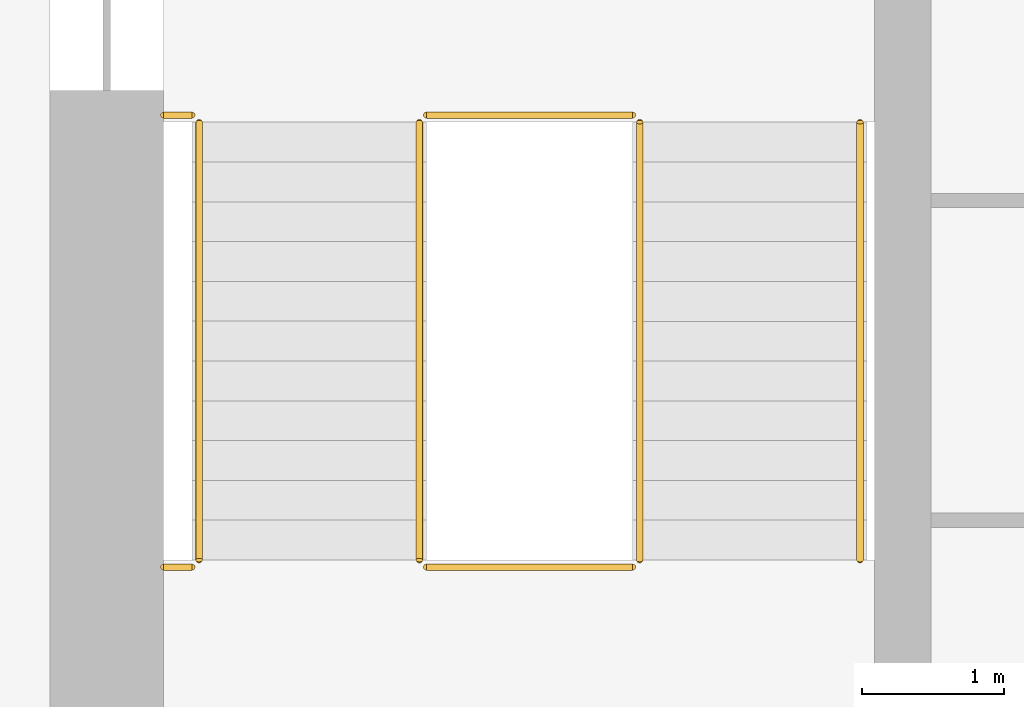
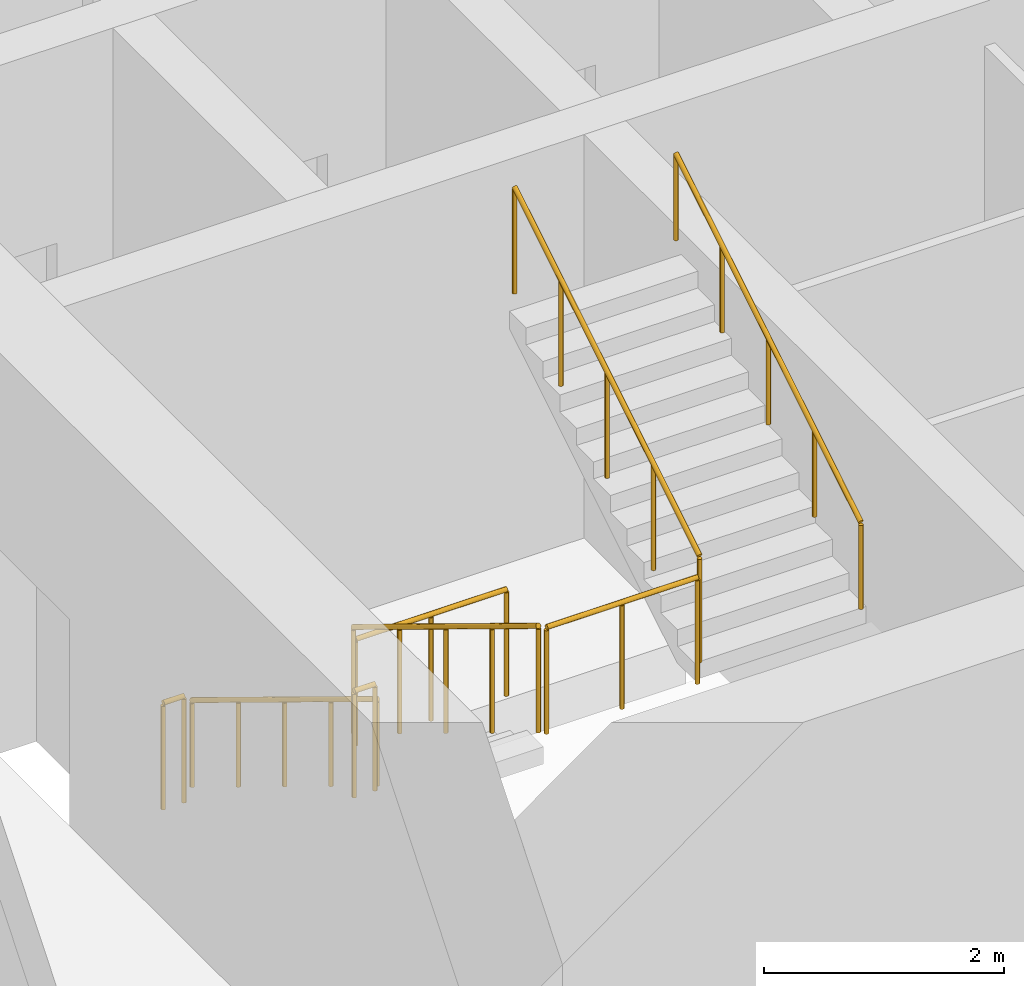
# One storey, part 10 of 16: 8 railings.
"""IFC4 building model written with IfcOpenShell, lengths in metres."""

from ifc_helpers import new_model, si_unit, direction, frame, origin, origin_2d, place, context, subcontext, project, spatial, circle, extrude, material, type_object, element, save


model = new_model("IFC4")

# Units and contexts
model_context = context("Model", 3, precision=1e-05, world=origin(), true_north=direction((0.0, 1.0)))
body_context = subcontext(model_context, "Body", "Model", "MODEL_VIEW")
ifc_project = project(units=[si_unit("LENGTHUNIT", "METRE"), si_unit("AREAUNIT", "SQUARE_METRE"), si_unit("VOLUMEUNIT", "CUBIC_METRE"), si_unit("PLANEANGLEUNIT", "RADIAN"), si_unit("MASSUNIT", "GRAM", prefix="KILO")], contexts=[model_context])

# Site, building, storey
site_placement = place(None, origin())
site = spatial("IfcSite", under=ifc_project, at=site_placement, CompositionType="ELEMENT")
building_placement = place(site_placement, origin())
building = spatial("IfcBuilding", under=site, at=building_placement, Name="Corbel Stack Research Tower", CompositionType="ELEMENT")
storey_placement = place(building_placement, frame((0.0, 0.0, 160.89990234375)))
storey = spatial("IfcBuildingStorey", under=building, at=storey_placement, Name="L36", CompositionType="ELEMENT", Elevation=160.89990234375)

# Railings
ifc_material_1 = material(Name="Steel S355", Category="steel")
railing_type_1 = type_object("IfcRailingType", Name="Stair guard 1100", PredefinedType="GUARDRAIL", material=ifc_material_1)
railing_1_placement = place(storey_placement, frame((-7.89990234375, -2.39990234375, 0.1708984375)))
element("IfcRailing", 1, at=railing_1_placement, inside=storey, type_object=railing_type_1, Name="L36 ST-W1 stair guard 1", PredefinedType="GUARDRAIL", context=body_context, shape_type="SweptSolid", body=[
    extrude(circle(Radius=0.02392578125, at=origin_2d()), frame((0.0, 0.0, 1.076171875), z_axis=(0.0, -0.853666305674, 0.52082035152), x_axis=(1.0, 0.0, 0.0)), (0.0, 0.0, 1.0), 3.608154296875),
    extrude(circle(Radius=0.02099609375, at=origin_2d()), origin(), (0.0, 0.0, 1.0), 1.052001953125),
    extrude(circle(Radius=0.02099609375, at=origin_2d()), frame((0.0, -0.77001953125, 0.4697265625)), (0.0, 0.0, 1.0), 1.052001953125),
    extrude(circle(Radius=0.02099609375, at=origin_2d()), frame((0.0, -1.5400390625, 0.939453125)), (0.0, 0.0, 1.0), 1.052001953125),
    extrude(circle(Radius=0.02099609375, at=origin_2d()), frame((0.0, -2.31005859375, 1.409423828125)), (0.0, 0.0, 1.0), 1.052001953125),
    extrude(circle(Radius=0.02099609375, at=origin_2d()), frame((0.0, -3.080078125, 1.879150390625)), (0.0, 0.0, 1.0), 1.052001953125),
])
railing_2_placement = place(storey_placement, frame((-7.85009765625, -5.530029296875, 2.050048828125)))
element("IfcRailing", 2, at=railing_2_placement, inside=storey, type_object=railing_type_1, Name="L36 ST-W1 stair guard 2", PredefinedType="GUARDRAIL", context=body_context, shape_type="SweptSolid", body=[
    extrude(circle(Radius=0.02392578125, at=origin_2d()), frame((0.0, 0.0, 1.076171875), z_axis=(1.0, 0.0, 0.0), x_axis=(0.0, 1.0, 0.0)), (0.0, 0.0, 1.0), 1.4501953125),
    extrude(circle(Radius=0.02099609375, at=origin_2d()), origin(), (0.0, 0.0, 1.0), 1.052001953125),
    extrude(circle(Radius=0.02099609375, at=origin_2d()), frame((0.72509765625, 0.0, 0.0)), (0.0, 0.0, 1.0), 1.052001953125),
    extrude(circle(Radius=0.02099609375, at=origin_2d()), frame((1.4501953125, 0.0, 0.0)), (0.0, 0.0, 1.0), 1.052001953125),
])
railing_3_placement = place(storey_placement, frame((-9.699951171875, -5.530029296875, 2.050048828125)))
element("IfcRailing", 3, at=railing_3_placement, inside=storey, type_object=railing_type_1, Name="L36 ST-W1 stair guard 3", PredefinedType="GUARDRAIL", context=body_context, shape_type="SweptSolid", body=[
    extrude(circle(Radius=0.02392578125, at=origin_2d()), frame((0.0, 0.0, 1.076171875), z_axis=(1.0, 0.0, 0.0), x_axis=(0.0, 1.0, 0.0)), (0.0, 0.0, 1.0), 0.199951171875),
    extrude(circle(Radius=0.02099609375, at=origin_2d()), origin(), (0.0, 0.0, 1.0), 1.052001953125),
    extrude(circle(Radius=0.02099609375, at=origin_2d()), frame((0.199951171875, 0.0, 0.0)), (0.0, 0.0, 1.0), 1.052001953125),
])
railing_4_placement = place(storey_placement, frame((-6.35009765625, -5.47998046875, 2.220947265625)))
element("IfcRailing", 4, at=railing_4_placement, inside=storey, type_object=railing_type_1, Name="L36 ST-W1 stair guard 4", PredefinedType="GUARDRAIL", context=body_context, shape_type="SweptSolid", body=[
    extrude(circle(Radius=0.02392578125, at=origin_2d()), frame((0.0, 0.0, 1.076171875), z_axis=(0.0, 0.853666305674, 0.52082035152), x_axis=(-1.0, 0.0, 0.0)), (0.0, 0.0, 1.0), 3.608154296875),
    extrude(circle(Radius=0.02099609375, at=origin_2d()), origin(), (0.0, 0.0, 1.0), 1.052001953125),
    extrude(circle(Radius=0.02099609375, at=origin_2d()), frame((0.0, 0.77001953125, 0.4697265625)), (0.0, 0.0, 1.0), 1.052001953125),
    extrude(circle(Radius=0.02099609375, at=origin_2d()), frame((0.0, 1.5400390625, 0.939453125)), (0.0, 0.0, 1.0), 1.052001953125),
    extrude(circle(Radius=0.02099609375, at=origin_2d()), frame((0.0, 2.31005859375, 1.409423828125)), (0.0, 0.0, 1.0), 1.052001953125),
    extrude(circle(Radius=0.02099609375, at=origin_2d()), frame((0.0, 3.080078125, 1.879150390625)), (0.0, 0.0, 1.0), 1.052001953125),
])
railing_5_placement = place(storey_placement, frame((-7.85009765625, -2.35009765625, 0.0)))
element("IfcRailing", 5, at=railing_5_placement, inside=storey, type_object=railing_type_1, Name="L36 ST-W1 stair guard 5", PredefinedType="GUARDRAIL", context=body_context, shape_type="SweptSolid", body=[
    extrude(circle(Radius=0.02392578125, at=origin_2d()), frame((0.0, 0.0, 1.076171875), z_axis=(1.0, 0.0, 0.0), x_axis=(0.0, 1.0, 0.0)), (0.0, 0.0, 1.0), 1.4501953125),
    extrude(circle(Radius=0.02099609375, at=origin_2d()), origin(), (0.0, 0.0, 1.0), 1.052001953125),
    extrude(circle(Radius=0.02099609375, at=origin_2d()), frame((0.72509765625, 0.0, 0.0)), (0.0, 0.0, 1.0), 1.052001953125),
    extrude(circle(Radius=0.02099609375, at=origin_2d()), frame((1.4501953125, 0.0, 0.0)), (0.0, 0.0, 1.0), 1.052001953125),
])
railing_6_placement = place(storey_placement, frame((-9.699951171875, -2.35009765625, 0.0)))
element("IfcRailing", 6, at=railing_6_placement, inside=storey, type_object=railing_type_1, Name="L36 ST-W1 stair guard 6", PredefinedType="GUARDRAIL", context=body_context, shape_type="SweptSolid", body=[
    extrude(circle(Radius=0.02392578125, at=origin_2d()), frame((0.0, 0.0, 1.076171875), z_axis=(1.0, 0.0, 0.0), x_axis=(0.0, 1.0, 0.0)), (0.0, 0.0, 1.0), 0.199951171875),
    extrude(circle(Radius=0.02099609375, at=origin_2d()), origin(), (0.0, 0.0, 1.0), 1.052001953125),
    extrude(circle(Radius=0.02099609375, at=origin_2d()), frame((0.199951171875, 0.0, 0.0)), (0.0, 0.0, 1.0), 1.052001953125),
])
ifc_material_2 = material(Name="Steel S355", Category="steel")
railing_type_2 = type_object("IfcRailingType", Name="Stair handrail 900", PredefinedType="HANDRAIL", material=ifc_material_2)
railing_7_placement = place(storey_placement, frame((-9.449951171875, -2.39990234375, 0.1708984375)))
element("IfcRailing", 7, at=railing_7_placement, inside=storey, type_object=railing_type_2, Name="L36 ST-W1 stair handrail 1", PredefinedType="HANDRAIL", context=body_context, shape_type="SweptSolid", body=[
    extrude(circle(Radius=0.02392578125, at=origin_2d()), frame((0.0, 0.0, 0.8759765625), z_axis=(0.0, -0.853666305674, 0.52082035152), x_axis=(1.0, 0.0, 0.0)), (0.0, 0.0, 1.0), 3.608154296875),
    extrude(circle(Radius=0.02099609375, at=origin_2d()), origin(), (0.0, 0.0, 1.0), 0.851806640625),
    extrude(circle(Radius=0.02099609375, at=origin_2d()), frame((0.0, -0.77001953125, 0.4697265625)), (0.0, 0.0, 1.0), 0.851806640625),
    extrude(circle(Radius=0.02099609375, at=origin_2d()), frame((0.0, -1.5400390625, 0.939453125)), (0.0, 0.0, 1.0), 0.851806640625),
    extrude(circle(Radius=0.02099609375, at=origin_2d()), frame((0.0, -2.31005859375, 1.409423828125)), (0.0, 0.0, 1.0), 0.851806640625),
    extrude(circle(Radius=0.02099609375, at=origin_2d()), frame((0.0, -3.080078125, 1.879150390625)), (0.0, 0.0, 1.0), 0.851806640625),
])
railing_8_placement = place(storey_placement, frame((-4.800048828125, -5.47998046875, 2.220947265625)))
element("IfcRailing", 8, at=railing_8_placement, inside=storey, type_object=railing_type_2, Name="L36 ST-W1 stair handrail 2", PredefinedType="HANDRAIL", context=body_context, shape_type="SweptSolid", body=[
    extrude(circle(Radius=0.02392578125, at=origin_2d()), frame((0.0, 0.0, 0.8759765625), z_axis=(0.0, 0.853666305674, 0.52082035152), x_axis=(-1.0, 0.0, 0.0)), (0.0, 0.0, 1.0), 3.608154296875),
    extrude(circle(Radius=0.02099609375, at=origin_2d()), origin(), (0.0, 0.0, 1.0), 0.851806640625),
    extrude(circle(Radius=0.02099609375, at=origin_2d()), frame((0.0, 0.77001953125, 0.4697265625)), (0.0, 0.0, 1.0), 0.851806640625),
    extrude(circle(Radius=0.02099609375, at=origin_2d()), frame((0.0, 1.5400390625, 0.939453125)), (0.0, 0.0, 1.0), 0.851806640625),
    extrude(circle(Radius=0.02099609375, at=origin_2d()), frame((0.0, 2.31005859375, 1.409423828125)), (0.0, 0.0, 1.0), 0.851806640625),
    extrude(circle(Radius=0.02099609375, at=origin_2d()), frame((0.0, 3.080078125, 1.879150390625)), (0.0, 0.0, 1.0), 0.851806640625),
])

save(model, "model.ifc")
